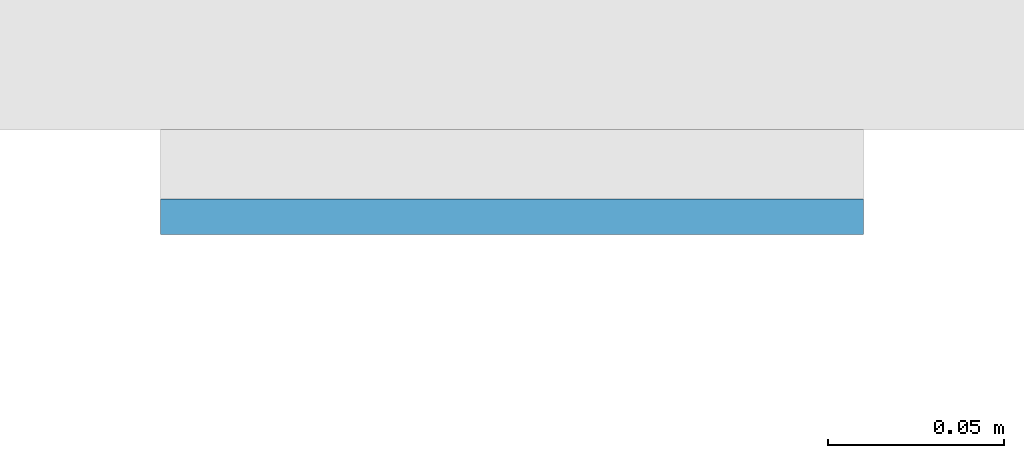
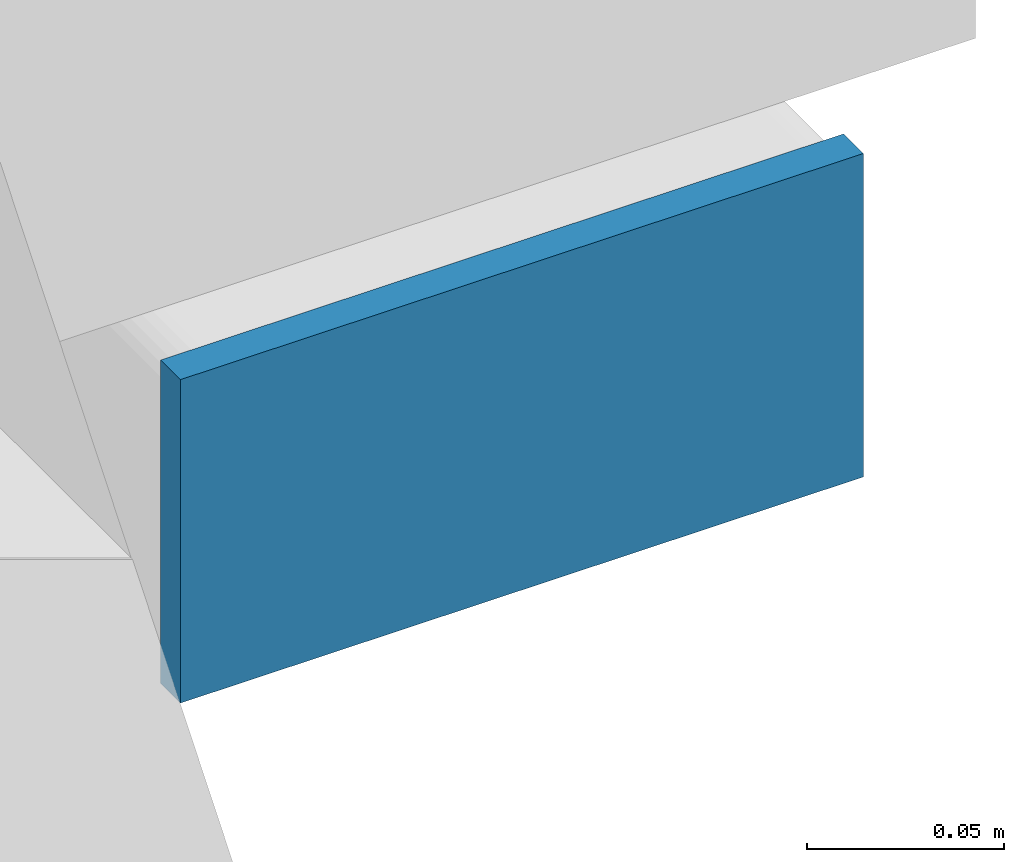
# One storey, part 10 of 20: 1 plate.
"""IFC4 building model written with IfcOpenShell, lengths in metres."""

from ifc_helpers import new_model, si_unit, direction, frame, origin, origin_2d, place, context, subcontext, project, spatial, rectangle, extrude, material, layer, layer_set, type_object, element, save


model = new_model("IFC4")

# Units and contexts
model_context = context("Model", 3, precision=1e-05, world=origin(), true_north=direction((0.0, 1.0)))
body_context = subcontext(model_context, "Body", "Model", "MODEL_VIEW")
ifc_project = project(units=[si_unit("LENGTHUNIT", "METRE"), si_unit("AREAUNIT", "SQUARE_METRE"), si_unit("VOLUMEUNIT", "CUBIC_METRE"), si_unit("PLANEANGLEUNIT", "RADIAN"), si_unit("MASSUNIT", "GRAM", prefix="KILO")], contexts=[model_context])

# Site, building, storey
site_placement = place(None, origin())
site = spatial("IfcSite", under=ifc_project, at=site_placement, CompositionType="ELEMENT")
building_placement = place(site_placement, origin())
building = spatial("IfcBuilding", under=site, at=building_placement, Name="Cleftline Residences", CompositionType="ELEMENT")
storey_placement = place(building_placement, frame((0.0, 0.0, 72.800048828125)))
storey = spatial("IfcBuildingStorey", under=building, at=storey_placement, Name="L18", CompositionType="ELEMENT", Elevation=72.800048828125)

# Plate
ifc_material = material(Name="Steel S355, hot-dip galvanised", Category="steel")
ifc_layer = layer(ifc_material, 0.010009765625)
ifc_layer_set = layer_set([ifc_layer], Name="BAGUETTE CARRIER END PLATE 200X100X10")
plate_type = type_object("IfcPlateType", Name="BAGUETTE CARRIER END PLATE 200X100X10", PredefinedType="USERDEFINED", material=ifc_layer_set)
plate_placement = place(storey_placement, frame((66.85009765625, 3.695068359375, -0.10009765625), z_axis=(0.0, 0.0, 1.0), x_axis=(1.0, 0.0, 0.0)))
element("IfcPlate", 1, at=plate_placement, inside=storey, type_object=plate_type, Name="Baguette carrier end plate", ObjectType="BAGUETTE CARRIER END PLATE", PredefinedType="USERDEFINED", context=body_context, shape_type="SweptSolid", body=[
    extrude(rectangle(XDim=0.199951171875, YDim=0.010009765625, at=origin_2d()), origin(), (0.0, 0.0, 1.0), 0.10009765625),
])

save(model, "model.ifc")
